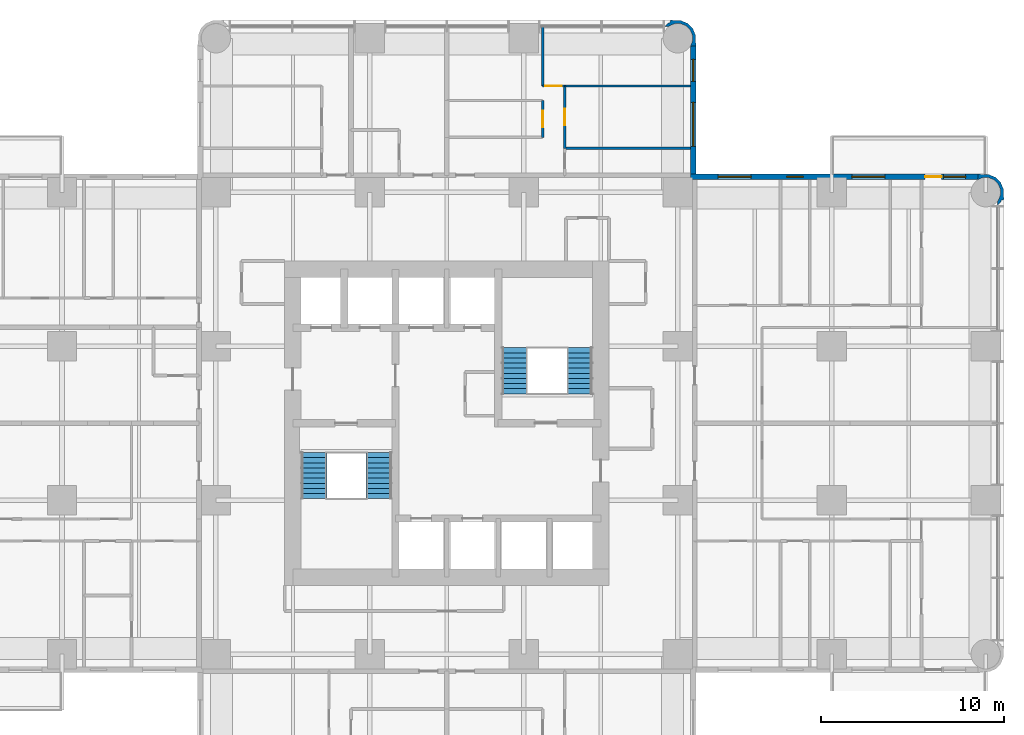
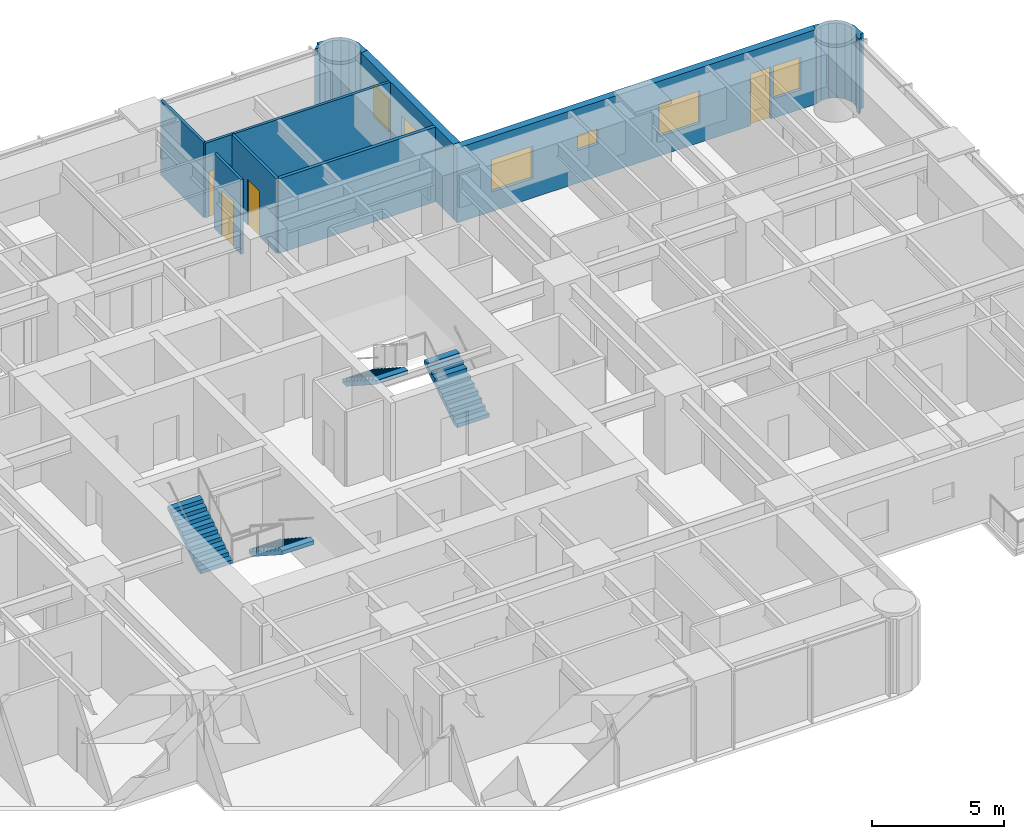
# One storey, part 12 of 14: 10 walls, 6 windows, 4 doors, 4 stair flights, 10 openings, 2 elements without a shape of their own.
"""IFC4 building model written with IfcOpenShell, lengths in metres."""

from ifc_helpers import new_model, si_unit, direction, frame, frame_2d, origin, place, context, subcontext, project, spatial, polyline, rectangle, outline, extrude, material, layer, layer_set, type_object, element, fill, aggregate, save


model = new_model("IFC4")

# Units and contexts
model_context = context("Model", 3, precision=1e-05, world=origin(), true_north=direction((0.0, 1.0)))
body_context = subcontext(model_context, "Body", "Model", "MODEL_VIEW")
ifc_project = project(units=[si_unit("LENGTHUNIT", "METRE"), si_unit("AREAUNIT", "SQUARE_METRE"), si_unit("VOLUMEUNIT", "CUBIC_METRE"), si_unit("PLANEANGLEUNIT", "RADIAN"), si_unit("MASSUNIT", "GRAM", prefix="KILO")], contexts=[model_context])

# Site, building, storey
site_placement = place(None, origin())
site = spatial("IfcSite", under=ifc_project, at=site_placement, CompositionType="ELEMENT")
building_placement = place(site_placement, origin())
building = spatial("IfcBuilding", under=site, at=building_placement, Name="Torre Alcanfor", CompositionType="ELEMENT")
storey_placement = place(building_placement, frame((0.0, 0.0, 126.89990234375)))
storey = spatial("IfcBuildingStorey", under=building, at=storey_placement, Name="L32", CompositionType="ELEMENT", Elevation=126.89990234375)

# Wall, opening, door
ifc_material_1 = material(Name="Gypsum board on steel studs", Category="steel")
ifc_layer_1 = layer(ifc_material_1, 0.1201171875)
ifc_layer_set_1 = layer_set([ifc_layer_1], Name="Apartment partition 120")
wall_type_1 = type_object("IfcWallType", Name="Apartment partition 120", PredefinedType="PARTITIONING", material=ifc_layer_set_1)
wall_1_placement = place(storey_placement, frame((34.62890625, 47.0, 0.0), z_axis=(0.0, 0.0, 1.0), x_axis=(0.0, -1.0, 0.0)))
wall_1 = element("IfcWall", 1, at=wall_1_placement, inside=storey, type_object=wall_type_1, Name="Partition L32-N2-KITCHEN / L32-N2-LIVING", PredefinedType="PARTITIONING", context=body_context, shape_type="SweptSolid", body=[
    extrude(rectangle(XDim=2.0, YDim=0.1201171875, at=frame_2d((1.0, 0.0))), origin(), (0.0, 0.0, 1.0), 3.4501953125),
])
opening_1_placement = place(wall_1_placement, frame((0.550048828125, 0.0, 0.0)))
opening_1 = element("IfcOpeningElement", 2, at=opening_1_placement, cuts=wall_1, Name="Opening D-R1", PredefinedType="OPENING", context=body_context, shape_type="SweptSolid", body=[
    extrude(rectangle(XDim=0.89990234375, YDim=2.10009765625, at=frame_2d((0.449951171875, 1.050048828125))), frame((0.0, 0.070068359375, 0.0), z_axis=(0.0, -1.0, 0.0), x_axis=(1.0, 0.0, 0.0)), (0.0, 0.0, 1.0), 0.14013671875),
])
ifc_material_2 = material(Name="Timber", Category="wood")
door_type_1 = type_object("IfcDoorType", Name="Internal door 900x2100", OperationType="SINGLE_SWING_LEFT", PredefinedType="DOOR", material=ifc_material_2)
door_1_placement = place(opening_1_placement, frame((0.89990234375, 0.0, 0.0), z_axis=(0.0, 0.0, 1.0), x_axis=(-1.0, 0.0, 0.0)))
door_1 = element("IfcDoor", 3, at=door_1_placement, inside=storey, type_object=door_type_1, Name="Door L32-N2 kitchen", OperationType="SINGLE_SWING_RIGHT", OverallHeight=2.10009765625, OverallWidth=0.89990234375, PredefinedType="DOOR", context=body_context, shape_type="SweptSolid", body=[
    extrude(rectangle(XDim=0.89990234375, YDim=2.10009765625, at=frame_2d((0.449951171875, 1.050048828125))), frame((0.0, 0.025146484375, 0.0), z_axis=(0.0, -1.0, 0.0), x_axis=(1.0, 0.0, 0.0)), (0.0, 0.0, 1.0), 0.050048828125),
])
fill(opening_1, door_1)

wall_2_placement = place(storey_placement, frame((35.8291015625, 47.800048828125, 0.0), z_axis=(0.0, 0.0, 1.0), x_axis=(0.0, -1.0, 0.0)))
wall_2 = element("IfcWall", 4, at=wall_2_placement, inside=storey, type_object=wall_type_1, Name="Partition L32-N2-LIVING / L32-N2-STUDY", PredefinedType="PARTITIONING", context=body_context, shape_type="SweptSolid", body=[
    extrude(rectangle(XDim=3.400146484375, YDim=0.1201171875, at=frame_2d((1.7001953125, 0.0))), origin(), (0.0, 0.0, 1.0), 3.4501953125),
])
opening_2_placement = place(wall_2_placement, frame((1.25, 0.0, 0.0)))
opening_2 = element("IfcOpeningElement", 5, at=opening_2_placement, cuts=wall_2, Name="Opening D-R1", PredefinedType="OPENING", context=body_context, shape_type="SweptSolid", body=[
    extrude(rectangle(XDim=0.89990234375, YDim=2.10009765625, at=frame_2d((0.449951171875, 1.050048828125))), frame((0.0, 0.070068359375, 0.0), z_axis=(0.0, -1.0, 0.0), x_axis=(1.0, 0.0, 0.0)), (0.0, 0.0, 1.0), 0.14013671875),
])
door_2_placement = place(opening_2_placement, origin())
door_2 = element("IfcDoor", 6, at=door_2_placement, inside=storey, type_object=door_type_1, Name="Door L32-N2 study", OperationType="SINGLE_SWING_LEFT", OverallHeight=2.10009765625, OverallWidth=0.89990234375, PredefinedType="DOOR", context=body_context, shape_type="SweptSolid", body=[
    extrude(rectangle(XDim=0.89990234375, YDim=2.10009765625, at=frame_2d((0.449951171875, 1.050048828125))), frame((0.0, 0.02490234375, 0.0), z_axis=(0.0, -1.0, 0.0), x_axis=(1.0, 0.0, 0.0)), (0.0, 0.0, 1.0), 0.050048828125),
])
fill(opening_2, door_2)

# Wall
wall_3_placement = place(storey_placement, frame((34.62890625, 51.050048828125, 0.0), z_axis=(0.0, 0.0, 1.0), x_axis=(0.0, -1.0, 0.0)))
element("IfcWall", 7, at=wall_3_placement, inside=storey, type_object=wall_type_1, Name="Partition L32-N2-LIVING / L32-N2-MASTER", PredefinedType="PARTITIONING", context=body_context, shape_type="SweptSolid", body=[
    extrude(rectangle(XDim=3.25, YDim=0.1201171875, at=frame_2d((1.625, 0.0))), origin(), (0.0, 0.0, 1.0), 3.4501953125),
])

# Wall, opening, door
wall_4_placement = place(storey_placement, frame((34.62890625, 47.800048828125, 0.0), z_axis=(0.0, 0.0, 1.0), x_axis=(1.0, 0.0, 0.0)))
wall_4 = element("IfcWall", 8, at=wall_4_placement, inside=storey, type_object=wall_type_1, Name="Partition L32-N2-LIVING / L32-N2-MASTER", PredefinedType="PARTITIONING", context=body_context, shape_type="SweptSolid", body=[
    extrude(rectangle(XDim=1.2001953125, YDim=0.1201171875, at=frame_2d((0.60009765625, 0.0))), origin(), (0.0, 0.0, 1.0), 3.4501953125),
])
opening_3_placement = place(wall_4_placement, frame((0.15087890625, 0.0, 0.0)))
opening_3 = element("IfcOpeningElement", 9, at=opening_3_placement, cuts=wall_4, Name="Opening D-R1", PredefinedType="OPENING", context=body_context, shape_type="SweptSolid", body=[
    extrude(rectangle(XDim=0.89990234375, YDim=2.10009765625, at=frame_2d((0.449951171875, 1.050048828125))), frame((0.0, 0.070068359375, 0.0), z_axis=(0.0, -1.0, 0.0), x_axis=(1.0, 0.0, 0.0)), (0.0, 0.0, 1.0), 0.14013671875),
])
door_3_placement = place(opening_3_placement, origin())
door_3 = element("IfcDoor", 10, at=door_3_placement, inside=storey, type_object=door_type_1, Name="Door L32-N2 master", OperationType="SINGLE_SWING_LEFT", OverallHeight=2.10009765625, OverallWidth=0.89990234375, PredefinedType="DOOR", context=body_context, shape_type="SweptSolid", body=[
    extrude(rectangle(XDim=0.89990234375, YDim=2.10009765625, at=frame_2d((0.449951171875, 1.050048828125))), frame((0.0, 0.02490234375, 0.0), z_axis=(0.0, -1.0, 0.0), x_axis=(1.0, 0.0, 0.0)), (0.0, 0.0, 1.0), 0.050048828125),
])
fill(opening_3, door_3)

# Wall
wall_5_placement = place(storey_placement, frame((35.8291015625, 47.800048828125, 0.0), z_axis=(0.0, 0.0, 1.0), x_axis=(1.0, 0.0, 0.0)))
element("IfcWall", 11, at=wall_5_placement, inside=storey, type_object=wall_type_1, Name="Partition L32-N2-STUDY / L32-N2-MASTER", PredefinedType="PARTITIONING", context=body_context, shape_type="SweptSolid", body=[
    extrude(rectangle(XDim=6.870849609375, YDim=0.1201171875, at=frame_2d((3.435546875, 0.0))), origin(), (0.0, 0.0, 1.0), 3.4501953125),
])

# Wall, openings, door, windows
ifc_material_3 = material(Name="Limestone cladding", Category="masonry")
ifc_layer_2 = layer(ifc_material_3, 0.0400390625, Name="Facing")
ifc_material_4 = material(Name="Ventilated air cavity")
ifc_layer_3 = layer(ifc_material_4, 0.02001953125, ventilated=True, Name="Ventilated joint")
ifc_material_5 = material(Name="Mineral wool insulation", Category="insulation")
ifc_layer_4 = layer(ifc_material_5, 0.10009765625, Name="Insulation")
ifc_material_6 = material(Name="Concrete f'c 35 MPa", Category="concrete")
ifc_layer_5 = layer(ifc_material_6, 0.139892578125, Name="Backing")
ifc_layer_set_2 = layer_set([ifc_layer_2, ifc_layer_3, ifc_layer_4, ifc_layer_5], Name="External wall stone-clad 300")
wall_type_2 = type_object("IfcWallType", Name="External wall stone-clad 300", PredefinedType="SOLIDWALL", material=ifc_layer_set_2)
wall_6_placement = place(storey_placement, frame((58.39990234375, 42.85009765625, 0.0), z_axis=(0.0, 0.0, 1.0), x_axis=(-1.0, 0.0, 0.0)))
wall_6 = element("IfcWall", 12, at=wall_6_placement, inside=storey, type_object=wall_type_2, Name="External wall L32 9", PredefinedType="SOLIDWALL", context=body_context, shape_type="SweptSolid", body=[
    extrude(rectangle(XDim=15.699951171875, YDim=0.300048828125, at=frame_2d((7.85009765625, 0.0))), origin(), (0.0, 0.0, 1.0), 3.4501953125),
])
opening_4_placement = place(wall_6_placement, frame((12.39990234375, 0.0, 0.89990234375)))
opening_4 = element("IfcOpeningElement", 13, at=opening_4_placement, cuts=wall_6, Name="Opening W2", PredefinedType="OPENING", context=body_context, shape_type="SweptSolid", body=[
    extrude(rectangle(XDim=1.800048828125, YDim=1.5, at=frame_2d((0.89990234375, 0.75))), frame((0.0, 0.159912109375, 0.0), z_axis=(0.0, -1.0, 0.0), x_axis=(1.0, 0.0, 0.0)), (0.0, 0.0, 1.0), 0.320068359375),
])
opening_5_placement = place(wall_6_placement, frame((9.550048828125, 0.0, 1.5)))
opening_5 = element("IfcOpeningElement", 14, at=opening_5_placement, cuts=wall_6, Name="Opening W3", PredefinedType="OPENING", context=body_context, shape_type="SweptSolid", body=[
    extrude(rectangle(XDim=0.89990234375, YDim=0.699951171875, at=frame_2d((0.449951171875, 0.35009765625))), frame((0.0, 0.159912109375, 0.0), z_axis=(0.0, -1.0, 0.0), x_axis=(1.0, 0.0, 0.0)), (0.0, 0.0, 1.0), 0.320068359375),
])
opening_6_placement = place(wall_6_placement, frame((5.10009765625, 0.0, 0.89990234375)))
opening_6 = element("IfcOpeningElement", 15, at=opening_6_placement, cuts=wall_6, Name="Opening W2", PredefinedType="OPENING", context=body_context, shape_type="SweptSolid", body=[
    extrude(rectangle(XDim=1.800048828125, YDim=1.5, at=frame_2d((0.89990234375, 0.75))), frame((0.0, 0.159912109375, 0.0), z_axis=(0.0, -1.0, 0.0), x_axis=(1.0, 0.0, 0.0)), (0.0, 0.0, 1.0), 0.320068359375),
])
opening_7_placement = place(wall_6_placement, frame((2.0, 0.0, 0.0)))
opening_7 = element("IfcOpeningElement", 16, at=opening_7_placement, cuts=wall_6, Name="Opening D-B1", PredefinedType="OPENING", context=body_context, shape_type="SweptSolid", body=[
    extrude(rectangle(XDim=0.89990234375, YDim=2.39990234375, at=frame_2d((0.449951171875, 1.199951171875))), frame((0.0, 0.159912109375, 0.0), z_axis=(0.0, -1.0, 0.0), x_axis=(1.0, 0.0, 0.0)), (0.0, 0.0, 1.0), 0.320068359375),
])
opening_8_placement = place(wall_6_placement, frame((0.699951171875, 0.0, 0.89990234375)))
opening_8 = element("IfcOpeningElement", 17, at=opening_8_placement, cuts=wall_6, Name="Opening W4", PredefinedType="OPENING", context=body_context, shape_type="SweptSolid", body=[
    extrude(rectangle(XDim=1.199951171875, YDim=1.5, at=frame_2d((0.60009765625, 0.75))), frame((0.0, 0.159912109375, 0.0), z_axis=(0.0, -1.0, 0.0), x_axis=(1.0, 0.0, 0.0)), (0.0, 0.0, 1.0), 0.320068359375),
])
ifc_material_7 = material(Name="Aluminium and glass", Category="aluminium")
door_type_2 = type_object("IfcDoorType", Name="Balcony door glazed 900x2400", OperationType="SINGLE_SWING_LEFT", PredefinedType="DOOR", material=ifc_material_7)
door_4_placement = place(opening_7_placement, origin())
door_4 = element("IfcDoor", 18, at=door_4_placement, inside=storey, type_object=door_type_2, Name="Balcony door L32-E1", OperationType="SINGLE_SWING_RIGHT", OverallHeight=2.39990234375, OverallWidth=0.89990234375, PredefinedType="DOOR", context=body_context, shape_type="SweptSolid", body=[
    extrude(rectangle(XDim=0.89990234375, YDim=2.39990234375, at=frame_2d((0.449951171875, 1.199951171875))), frame((0.0, 0.02490234375, 0.0), z_axis=(0.0, -1.0, 0.0), x_axis=(1.0, 0.0, 0.0)), (0.0, 0.0, 1.0), 0.050048828125),
])
fill(opening_7, door_4)
ifc_material_8 = material(Name="Aluminium frame with clear double glazing", Category="aluminium")
window_type_1 = type_object("IfcWindowType", Name="Window bathroom 900x700", PartitioningType="SINGLE_PANEL", PredefinedType="WINDOW", material=ifc_material_8)
window_1_placement = place(opening_5_placement, origin())
window_1 = element("IfcWindow", 19, at=window_1_placement, inside=storey, type_object=window_type_1, Name="Window W3 L32-E1", OverallHeight=0.699951171875, OverallWidth=0.89990234375, PartitioningType="SINGLE_PANEL", PredefinedType="WINDOW", context=body_context, shape_type="SweptSolid", body=[
    extrude(rectangle(XDim=0.89990234375, YDim=0.699951171875, at=frame_2d((0.449951171875, 0.35009765625))), frame((0.0, 0.030029296875, 0.0), z_axis=(0.0, -1.0, 0.0), x_axis=(1.0, 0.0, 0.0)), (0.0, 0.0, 1.0), 0.06005859375),
])
fill(opening_5, window_1)
ifc_material_9 = material(Name="Aluminium frame with clear double glazing", Category="aluminium")
window_type_2 = type_object("IfcWindowType", Name="Window bedroom 1200x1500", PartitioningType="SINGLE_PANEL", PredefinedType="WINDOW", material=ifc_material_9)
window_2_placement = place(opening_8_placement, origin())
window_2 = element("IfcWindow", 20, at=window_2_placement, inside=storey, type_object=window_type_2, Name="Window W4 L32-E1", OverallHeight=1.5, OverallWidth=1.199951171875, PartitioningType="SINGLE_PANEL", PredefinedType="WINDOW", context=body_context, shape_type="SweptSolid", body=[
    extrude(rectangle(XDim=1.199951171875, YDim=1.5, at=frame_2d((0.60009765625, 0.75))), frame((0.0, 0.030029296875, 0.0), z_axis=(0.0, -1.0, 0.0), x_axis=(1.0, 0.0, 0.0)), (0.0, 0.0, 1.0), 0.06005859375),
])
fill(opening_8, window_2)
ifc_material_10 = material(Name="Aluminium frame with clear double glazing", Category="aluminium")
window_type_3 = type_object("IfcWindowType", Name="Window bedroom 1800x1500", PartitioningType="SINGLE_PANEL", PredefinedType="WINDOW", material=ifc_material_10)
window_3_placement = place(opening_4_placement, origin())
window_3 = element("IfcWindow", 21, at=window_3_placement, inside=storey, type_object=window_type_3, Name="Window W2 L32-E1", OverallHeight=1.5, OverallWidth=1.800048828125, PartitioningType="SINGLE_PANEL", PredefinedType="WINDOW", context=body_context, shape_type="SweptSolid", body=[
    extrude(rectangle(XDim=1.800048828125, YDim=1.5, at=frame_2d((0.89990234375, 0.75))), frame((0.0, 0.030029296875, 0.0), z_axis=(0.0, -1.0, 0.0), x_axis=(1.0, 0.0, 0.0)), (0.0, 0.0, 1.0), 0.06005859375),
])
fill(opening_4, window_3)
window_4_placement = place(opening_6_placement, origin())
window_4 = element("IfcWindow", 22, at=window_4_placement, inside=storey, type_object=window_type_3, Name="Window W2 L32-E1", OverallHeight=1.5, OverallWidth=1.800048828125, PartitioningType="SINGLE_PANEL", PredefinedType="WINDOW", context=body_context, shape_type="SweptSolid", body=[
    extrude(rectangle(XDim=1.800048828125, YDim=1.5, at=frame_2d((0.89990234375, 0.75))), frame((0.0, 0.030029296875, 0.0), z_axis=(0.0, -1.0, 0.0), x_axis=(1.0, 0.0, 0.0)), (0.0, 0.0, 1.0), 0.06005859375),
])
fill(opening_6, window_4)

# Wall, openings, windows
wall_7_placement = place(storey_placement, frame((42.85009765625, 43.0, 0.0), z_axis=(0.0, 0.0, 1.0), x_axis=(0.0, 1.0, 0.0)))
wall_7 = element("IfcWall", 23, at=wall_7_placement, inside=storey, type_object=wall_type_2, Name="External wall L32 10", PredefinedType="SOLIDWALL", context=body_context, shape_type="SweptSolid", body=[
    extrude(rectangle(XDim=7.0, YDim=0.300048828125, at=frame_2d((3.5, 0.0))), origin(), (0.0, 0.0, 1.0), 3.4501953125),
])
opening_9_placement = place(wall_7_placement, frame((1.5, 0.0, 0.89990234375)))
opening_9 = element("IfcOpeningElement", 24, at=opening_9_placement, cuts=wall_7, Name="Opening W1", PredefinedType="OPENING", context=body_context, shape_type="SweptSolid", body=[
    extrude(rectangle(XDim=2.39990234375, YDim=1.5, at=frame_2d((1.199951171875, 0.75))), frame((0.0, 0.159912109375, 0.0), z_axis=(0.0, -1.0, 0.0), x_axis=(1.0, 0.0, 0.0)), (0.0, 0.0, 1.0), 0.320068359375),
])
opening_10_placement = place(wall_7_placement, frame((5.050048828125, 0.0, 0.89990234375)))
opening_10 = element("IfcOpeningElement", 25, at=opening_10_placement, cuts=wall_7, Name="Opening W4", PredefinedType="OPENING", context=body_context, shape_type="SweptSolid", body=[
    extrude(rectangle(XDim=1.199951171875, YDim=1.5, at=frame_2d((0.60009765625, 0.75))), frame((0.0, 0.159912109375, 0.0), z_axis=(0.0, -1.0, 0.0), x_axis=(1.0, 0.0, 0.0)), (0.0, 0.0, 1.0), 0.320068359375),
])
window_5_placement = place(opening_10_placement, origin())
window_5 = element("IfcWindow", 26, at=window_5_placement, inside=storey, type_object=window_type_2, Name="Window W4 L32-N2", OverallHeight=1.5, OverallWidth=1.199951171875, PartitioningType="SINGLE_PANEL", PredefinedType="WINDOW", context=body_context, shape_type="SweptSolid", body=[
    extrude(rectangle(XDim=1.199951171875, YDim=1.5, at=frame_2d((0.60009765625, 0.75))), frame((0.0, 0.030029296875, 0.0), z_axis=(0.0, -1.0, 0.0), x_axis=(1.0, 0.0, 0.0)), (0.0, 0.0, 1.0), 0.06005859375),
])
fill(opening_10, window_5)
ifc_material_11 = material(Name="Aluminium frame with clear double glazing", Category="aluminium")
window_type_4 = type_object("IfcWindowType", Name="Window bedroom 2400x1500", PartitioningType="SINGLE_PANEL", PredefinedType="WINDOW", material=ifc_material_11)
window_6_placement = place(opening_9_placement, origin())
window_6 = element("IfcWindow", 27, at=window_6_placement, inside=storey, type_object=window_type_4, Name="Window W1 L32-N2", OverallHeight=1.5, OverallWidth=2.39990234375, PartitioningType="SINGLE_PANEL", PredefinedType="WINDOW", context=body_context, shape_type="SweptSolid", body=[
    extrude(rectangle(XDim=2.39990234375, YDim=1.5, at=frame_2d((1.199951171875, 0.75))), frame((0.0, 0.030029296875, 0.0), z_axis=(0.0, -1.0, 0.0), x_axis=(1.0, 0.0, 0.0)), (0.0, 0.0, 1.0), 0.06005859375),
])
fill(opening_9, window_6)

# Walls
ifc_layer_6 = layer(ifc_material_3, 0.0400390625, Name="Facing")
ifc_layer_7 = layer(ifc_material_4, 0.02001953125, ventilated=True, Name="Ventilated joint")
ifc_layer_8 = layer(ifc_material_5, 0.10009765625, Name="Insulation")
ifc_layer_9 = layer(ifc_material_6, 0.139892578125, Name="Backing")
ifc_layer_set_3 = layer_set([ifc_layer_6, ifc_layer_7, ifc_layer_8, ifc_layer_9], Name="Rounded corner pier stone-clad 300")
wall_type_3 = type_object("IfcWallType", Name="Rounded corner pier stone-clad 300", PredefinedType="SOLIDWALL", material=ifc_layer_set_3)
wall_8_placement = place(storey_placement, frame((59.395317512, 41.351928198, 0.0), z_axis=(0.0, 0.0, 1.0), x_axis=(0.93923434088, 0.343276641956, 0.0)))
element("IfcWall", 28, at=wall_8_placement, inside=storey, type_object=wall_type_3, Name="Corner pier L32 18", PredefinedType="SOLIDWALL", context=body_context, shape_type="SweptSolid", body=[
    extrude(outline(polyline([(0.5319791374717469, 0.3931546875748424), (0.6305370795958255, 0.662817672163305), (0.614285462759775, 1.044364627998893), (0.4533652442516045, 1.3906676424071163), (0.17222000156622597, 1.6491237258576117), (-0.09744298302223653, 1.7476816679816904), (-0.36918355555989557, 1.8896284089825286), (-0.509101456401082, 1.6213052972671853), (-0.49052773042177455, 1.6145168675800676), (-0.47941981662998623, 1.6086375342973744), (-0.2113919059229058, 1.6201101578142136), (0.08785145707704622, 1.5107410128550955), (0.32257352025202113, 1.2952455132706726), (0.4567838912150332, 1.0060128786275908), (0.47036434537540095, 0.687566849311498), (0.36107900819019806, 0.38855279157054984), (0.14535420334677107, 0.1539145361694899), (0.10800994465551556, 0.13637103018492347), (0.030906792653685306, -0.07458980809856762), (0.2410056377422186, 0.023039004395991533), (0.3334055822831027, 0.12365495968313633), (0.46532832919806827, 0.0941544704520565), (0.5319791374717469, 0.3931546875748424)])), origin(), (0.0, 0.0, 1.0), 3.4501953125),
])
wall_9_placement = place(storey_placement, frame((42.817059488, 50.073176205, 0.0), z_axis=(0.0, 0.0, 1.0), x_axis=(0.343276641956, 0.93923434088, 0.0)))
element("IfcWall", 29, at=wall_9_placement, inside=storey, type_object=wall_type_3, Name="Corner pier L32 19", PredefinedType="SOLIDWALL", context=body_context, shape_type="SweptSolid", body=[
    extrude(outline(polyline([(0.2655808672444785, -0.0550807599050476), (0.5354731570919448, 0.04356098999294611), (0.8166183997773234, 0.30201707344344164), (0.9775386182854939, 0.6483200878516648), (0.9937902351215443, 1.0298670436872528), (0.8952322929974657, 1.2995300282757154), (0.8283521794647835, 1.5984464376245864), (0.6966587378088214, 1.5690297561674216), (0.6042587932679374, 1.6696457114545662), (0.39415994817940425, 1.7672745239491254), (0.47126310018123446, 1.5563136856656343), (0.50860735887249, 1.538770179681068), (0.7241028584569131, 1.304048116506093), (0.833388195642116, 1.0050340587651447), (0.8200370467407522, 0.686671837222967), (0.68582667577774, 0.3974392025798854), (0.4511046126027651, 0.18194370299546214), (0.15186124960281305, 0.07257455803634424), (-0.11616666110426738, 0.08404718155318341), (-0.12750388015505948, 0.07808404049657515), (-0.14607760613436685, 0.07129561080945748), (-0.0059304000341767055, -0.19694369313197083), (0.2655808672444785, -0.0550807599050476)])), origin(), (0.0, 0.0, 1.0), 3.4501953125),
])
ifc_material_12 = material(Name="Cement board on steel studs", Category="steel")
ifc_layer_10 = layer(ifc_material_12, 0.14990234375)
ifc_layer_set_4 = layer_set([ifc_layer_10], Name="Wet area partition 150")
wall_type_4 = type_object("IfcWallType", Name="Wet area partition 150", PredefinedType="PARTITIONING", material=ifc_layer_set_4)
wall_10_placement = place(storey_placement, frame((35.8291015625, 44.39990234375, 0.0), z_axis=(0.0, 0.0, 1.0), x_axis=(1.0, 0.0, 0.0)))
element("IfcWall", 30, at=wall_10_placement, inside=storey, type_object=wall_type_4, Name="Partition L32-N2-BATH / L32-N2-STUDY", PredefinedType="PARTITIONING", context=body_context, shape_type="SweptSolid", body=[
    extrude(rectangle(XDim=6.870849609375, YDim=0.14990234375, at=frame_2d((3.435546875, 0.0))), origin(), (0.0, 0.0, 1.0), 3.4501953125),
])

# Stair, stair flights
ifc_material_13 = material(Name="Concrete f'c 35 MPa", Category="concrete")
stair_type_1 = type_object("IfcStairType", Name="Exit stair S1 1400 wide", PredefinedType="HALF_TURN_STAIR", material=ifc_material_13)
stair_1_placement = place(storey_placement, origin())
stair_1 = element("IfcStair", 31, at=stair_1_placement, inside=storey, type_object=stair_type_1, Name="Stair S1 L32 to L33", PredefinedType="HALF_TURN_STAIR")
ifc_material_14 = material(Name="Concrete f'c 35 MPa", Category="concrete")
stair_flight_type = type_object("IfcStairFlightType", Name="Stair flight 1400", PredefinedType="STRAIGHT", material=ifc_material_14)
stair_flight_1_placement = place(storey_placement, frame((25.699951171875, 27.800048828125, 0.0), z_axis=(0.0, 0.0, 1.0), x_axis=(0.0, -1.0, 0.0)))
stair_flight_1 = element("IfcStairFlight", 32, at=stair_flight_1_placement, type_object=stair_flight_type, Name="S1 flight 1", NumberOfRisers=10, NumberOfTreads=9, PredefinedType="STRAIGHT", RiserHeight=0.18, TreadLength=0.28, context=body_context, shape_type="SweptSolid", body=[
    extrude(outline(polyline([(0.0, 0.0), (0.0, 0.179931640625), (0.280029296875, 0.179931640625), (0.280029296875, 0.360107421875), (0.56005859375, 0.360107421875), (0.56005859375, 0.5400390625), (0.840087890625, 0.5400390625), (0.840087890625, 0.719970703125), (1.1201171875, 0.719970703125), (1.1201171875, 0.89990234375), (1.39990234375, 0.89990234375), (1.39990234375, 1.080078125), (1.679931640625, 1.080078125), (1.679931640625, 1.260009765625), (1.9599609375, 1.260009765625), (1.9599609375, 1.43994140625), (2.239990234375, 1.43994140625), (2.239990234375, 1.6201171875), (2.52001953125, 1.6201171875), (2.52001953125, 1.800048828125), (2.52001953125, 1.44189453125), (0.277099609375, 0.0), (0.0, 0.0)])), frame((0.0, 0.699951171875, 0.0), z_axis=(0.0, -1.0, 0.0), x_axis=(1.0, 0.0, 0.0)), (0.0, 0.0, 1.0), 1.39990234375),
])
stair_flight_2_placement = place(storey_placement, frame((22.14990234375, 25.280029296875, 1.800048828125), z_axis=(0.0, 0.0, 1.0), x_axis=(0.0, 1.0, 0.0)))
stair_flight_2 = element("IfcStairFlight", 33, at=stair_flight_2_placement, type_object=stair_flight_type, Name="S1 flight 2", NumberOfRisers=10, NumberOfTreads=9, PredefinedType="STRAIGHT", RiserHeight=0.18, TreadLength=0.28, context=body_context, shape_type="SweptSolid", body=[
    extrude(outline(polyline([(0.0, 0.0), (0.0, 0.179931640625), (0.280029296875, 0.179931640625), (0.280029296875, 0.360107421875), (0.56005859375, 0.360107421875), (0.56005859375, 0.5400390625), (0.840087890625, 0.5400390625), (0.840087890625, 0.719970703125), (1.1201171875, 0.719970703125), (1.1201171875, 0.89990234375), (1.39990234375, 0.89990234375), (1.39990234375, 1.080078125), (1.679931640625, 1.080078125), (1.679931640625, 1.260009765625), (1.9599609375, 1.260009765625), (1.9599609375, 1.43994140625), (2.239990234375, 1.43994140625), (2.239990234375, 1.6201171875), (2.52001953125, 1.6201171875), (2.52001953125, 1.800048828125), (2.52001953125, 1.44189453125), (0.277099609375, 0.0), (0.0, 0.0)])), frame((0.0, 0.699951171875, 0.0), z_axis=(0.0, -1.0, 0.0), x_axis=(1.0, 0.0, 0.0)), (0.0, 0.0, 1.0), 1.39990234375),
])
aggregate(stair_1, [stair_flight_1, stair_flight_2])

ifc_material_15 = material(Name="Concrete f'c 35 MPa", Category="concrete")
stair_type_2 = type_object("IfcStairType", Name="Exit stair S2 1400 wide", PredefinedType="HALF_TURN_STAIR", material=ifc_material_15)
stair_2_placement = place(storey_placement, origin())
stair_2 = element("IfcStair", 34, at=stair_2_placement, inside=storey, type_object=stair_type_2, Name="Stair S2 L32 to L33", PredefinedType="HALF_TURN_STAIR")
stair_flight_3_placement = place(storey_placement, frame((36.64990234375, 31.0, 0.0), z_axis=(0.0, 0.0, 1.0), x_axis=(0.0, 1.0, 0.0)))
stair_flight_3 = element("IfcStairFlight", 35, at=stair_flight_3_placement, type_object=stair_flight_type, Name="S2 flight 1", NumberOfRisers=10, NumberOfTreads=9, PredefinedType="STRAIGHT", RiserHeight=0.18, TreadLength=0.28, context=body_context, shape_type="SweptSolid", body=[
    extrude(outline(polyline([(0.0, 0.0), (0.0, 0.179931640625), (0.280029296875, 0.179931640625), (0.280029296875, 0.360107421875), (0.56005859375, 0.360107421875), (0.56005859375, 0.5400390625), (0.840087890625, 0.5400390625), (0.840087890625, 0.719970703125), (1.1201171875, 0.719970703125), (1.1201171875, 0.89990234375), (1.39990234375, 0.89990234375), (1.39990234375, 1.080078125), (1.679931640625, 1.080078125), (1.679931640625, 1.260009765625), (1.9599609375, 1.260009765625), (1.9599609375, 1.43994140625), (2.239990234375, 1.43994140625), (2.239990234375, 1.6201171875), (2.52001953125, 1.6201171875), (2.52001953125, 1.800048828125), (2.52001953125, 1.44189453125), (0.277099609375, 0.0), (0.0, 0.0)])), frame((0.0, 0.699951171875, 0.0), z_axis=(0.0, -1.0, 0.0), x_axis=(1.0, 0.0, 0.0)), (0.0, 0.0, 1.0), 1.39990234375),
])
stair_flight_4_placement = place(storey_placement, frame((33.10009765625, 33.52001953125, 1.800048828125), z_axis=(0.0, 0.0, 1.0), x_axis=(0.0, -1.0, 0.0)))
stair_flight_4 = element("IfcStairFlight", 36, at=stair_flight_4_placement, type_object=stair_flight_type, Name="S2 flight 2", NumberOfRisers=10, NumberOfTreads=9, PredefinedType="STRAIGHT", RiserHeight=0.18, TreadLength=0.28, context=body_context, shape_type="SweptSolid", body=[
    extrude(outline(polyline([(0.0, 0.0), (0.0, 0.179931640625), (0.280029296875, 0.179931640625), (0.280029296875, 0.360107421875), (0.56005859375, 0.360107421875), (0.56005859375, 0.5400390625), (0.840087890625, 0.5400390625), (0.840087890625, 0.719970703125), (1.1201171875, 0.719970703125), (1.1201171875, 0.89990234375), (1.39990234375, 0.89990234375), (1.39990234375, 1.080078125), (1.679931640625, 1.080078125), (1.679931640625, 1.260009765625), (1.9599609375, 1.260009765625), (1.9599609375, 1.43994140625), (2.239990234375, 1.43994140625), (2.239990234375, 1.6201171875), (2.52001953125, 1.6201171875), (2.52001953125, 1.800048828125), (2.52001953125, 1.44189453125), (0.277099609375, 0.0), (0.0, 0.0)])), frame((0.0, 0.699951171875, 0.0), z_axis=(0.0, -1.0, 0.0), x_axis=(1.0, 0.0, 0.0)), (0.0, 0.0, 1.0), 1.39990234375),
])
aggregate(stair_2, [stair_flight_3, stair_flight_4])

save(model, "model.ifc")
